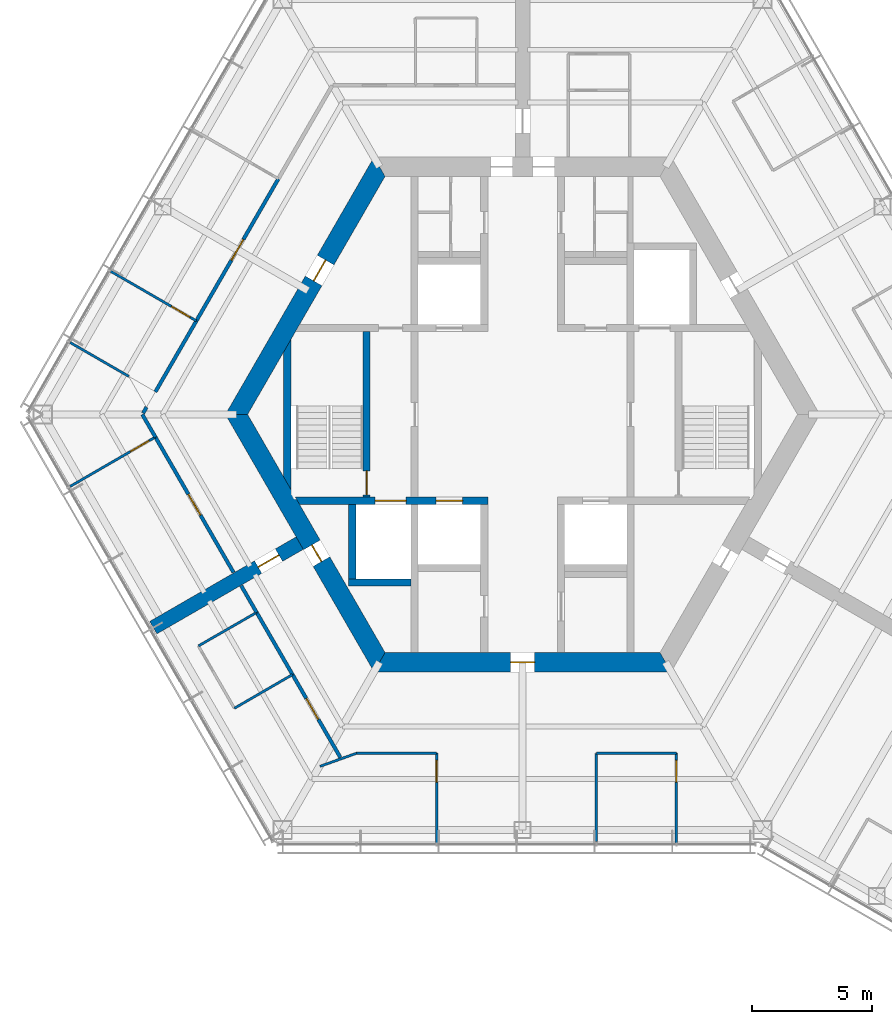
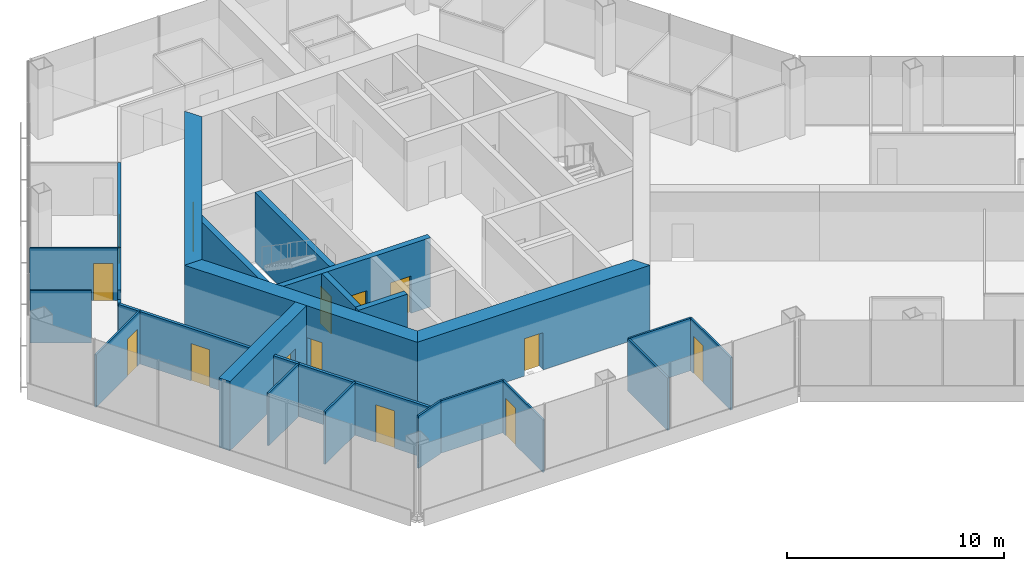
# One storey, part 10 of 16: 28 walls, 14 doors, 14 openings.
"""IFC4 building model written with IfcOpenShell, lengths in metres."""

import ifcopenshell
import ifcopenshell.guid

model = None  # the IFC model being written
_history = None  # IfcOwnerHistory: only IFC2X3 demands one
_inside = {}  # id of a spatial element -> (the spatial element, [elements in it])
_under = {}  # id of a project, library or spatial element -> (it, [spatial elements below it])
_declared = {}  # id of a project -> (the project, [libraries it declares])
_typed = {}  # id of a type object -> (the type object, [elements of that type])
_made_of = {}  # id of a material, layer set ... -> (it, [elements and type objects made of it])


def new_model(schema):
    """Start an empty IFC model of exactly this schema.

    Asked for "IFC4X3", IfcOpenShell would pick the latest addendum, in which some entities
    have other attributes; the version numbers below select the first issue.
    IFC2X3 requires an IfcOwnerHistory on every rooted entity: one is made here for all.
    """
    global model, _history
    if schema == "IFC4X3":
        model = ifcopenshell.file(schema_version=(4, 3, 0, 0))
    else:
        model = ifcopenshell.file(schema=schema)
    _inside.clear()
    _under.clear()
    _declared.clear()
    _typed.clear()
    _made_of.clear()
    _history = None
    if model.schema == "IFC2X3":
        org = make("IfcOrganization", Name="unknown")
        user = make(
            "IfcPersonAndOrganization",
            ThePerson=make("IfcPerson", FamilyName="unknown"),
            TheOrganization=org,
        )
        app = make(
            "IfcApplication",
            ApplicationDeveloper=org,
            Version="unknown",
            ApplicationFullName="unknown",
            ApplicationIdentifier="unknown",
        )
        _history = make(
            "IfcOwnerHistory",
            OwningUser=user,
            OwningApplication=app,
            ChangeAction="ADDED",
            CreationDate=0,
        )
    return model


def make(cls, **values):
    """One entity of the class cls with the attributes given. An attribute that is None is left unset."""
    return model.create_entity(
        cls, **{name: value for name, value in values.items() if value is not None}
    )


def rooted(cls, **values):
    """An entity with a GlobalId (a new one), such as an element, a storey or a relation."""
    return make(cls, GlobalId=ifcopenshell.guid.new(), OwnerHistory=_history, **values)


def si_unit(unit_type, name, prefix=None):
    """IfcSIUnit, for example si_unit("LENGTHUNIT", "METRE", prefix="MILLI")."""
    return make("IfcSIUnit", UnitType=unit_type, Prefix=prefix, Name=name)


def assignment(units):
    """IfcUnitAssignment: the units of a project."""
    return None if units is None else make("IfcUnitAssignment", Units=units)


def point(xyz):
    """IfcCartesianPoint."""
    return None if xyz is None else make("IfcCartesianPoint", Coordinates=xyz)


def direction(xyz):
    """IfcDirection."""
    return None if xyz is None else make("IfcDirection", DirectionRatios=xyz)


def frame(location, z_axis=None, x_axis=None):
    """IfcAxis2Placement3D, a coordinate frame: its origin and axes. An axis left out is left unset."""
    return make(
        "IfcAxis2Placement3D",
        Location=point(location),
        Axis=direction(z_axis),
        RefDirection=direction(x_axis),
    )


def frame_2d(location, x_axis=None):
    """IfcAxis2Placement2D, a coordinate frame in the plane: its origin and x axis."""
    return make(
        "IfcAxis2Placement2D", Location=point(location), RefDirection=direction(x_axis)
    )


def origin():
    """The frame at (0, 0, 0) with its axes left unset."""
    return frame((0.0, 0.0, 0.0))


def place(relative_to, where):
    """IfcLocalPlacement: puts the frame where relative to a parent placement (None: the world)."""
    return make(
        "IfcLocalPlacement", PlacementRelTo=relative_to, RelativePlacement=where
    )


def context(
    kind, dimensions, precision=None, world=None, true_north=None, identifier=None
):
    """IfcGeometricRepresentationContext, for example the 3D "Model" context."""
    return make(
        "IfcGeometricRepresentationContext",
        ContextIdentifier=identifier,
        ContextType=kind,
        CoordinateSpaceDimension=dimensions,
        Precision=precision,
        WorldCoordinateSystem=world,
        TrueNorth=true_north,
    )


def subcontext(parent, identifier, kind, view, scale=None):
    """IfcGeometricRepresentationSubContext, for example "Body" below "Model"."""
    return make(
        "IfcGeometricRepresentationSubContext",
        ContextIdentifier=identifier,
        ContextType=kind,
        ParentContext=parent,
        TargetScale=scale,
        TargetView=view,
    )


def project(units=None, contexts=None):
    """IfcProject with its units and contexts."""
    return rooted(
        "IfcProject",
        Name="project",
        RepresentationContexts=contexts,
        UnitsInContext=assignment(units),
    )


def spatial(cls, under=None, at=None, **own):
    """A site, building, storey or space (cls), placed at a placement, below another one or the project."""
    s = rooted(cls, ObjectPlacement=at, **own)
    if under is not None:
        _under.setdefault(under.id(), (under, []))[1].append(s)
    return s


def polyline(points):
    """IfcPolyline through the points."""
    return make("IfcPolyline", Points=[point(p) for p in points])


def profile(cls, at=None, kind="AREA", **sizes):
    """A parametric profile (cls). Its sizes go by their IFC names, for example OverallWidth=200.0."""
    return make(cls, ProfileType=kind, Position=at, **sizes)


def rectangle(**sizes):
    """IfcRectangleProfileDef."""
    return profile("IfcRectangleProfileDef", **sizes)


def outline(outer, holes=None, kind="AREA"):
    """IfcArbitraryClosedProfileDef: a profile drawn as a closed curve; with holes, ...WithVoids."""
    if holes is None:
        return make("IfcArbitraryClosedProfileDef", ProfileType=kind, OuterCurve=outer)
    return make(
        "IfcArbitraryProfileDefWithVoids",
        ProfileType=kind,
        OuterCurve=outer,
        InnerCurves=holes,
    )


def extrude(swept, where, along, depth):
    """IfcExtrudedAreaSolid: the profile swept, set in the frame where, extruded along a direction by depth."""
    return make(
        "IfcExtrudedAreaSolid",
        SweptArea=swept,
        Position=where,
        ExtrudedDirection=direction(along),
        Depth=depth,
    )


def shape(context_of_items, identifier, shape_type, items):
    """IfcShapeRepresentation: the items that make up one representation, for example the "Body"."""
    return make(
        "IfcShapeRepresentation",
        ContextOfItems=context_of_items,
        RepresentationIdentifier=identifier,
        RepresentationType=shape_type,
        Items=items,
    )


def material(Name=None, Category=None):
    """IfcMaterial."""
    return make("IfcMaterial", Name=Name, Category=Category)


def layer(
    of_material, thickness, ventilated=None, Name=None, Category=None, Priority=None
):
    """IfcMaterialLayer: one layer of a wall or slab, of a material (None: an air gap)."""
    return make(
        "IfcMaterialLayer",
        Material=of_material,
        LayerThickness=thickness,
        IsVentilated=ventilated,
        Name=Name,
        Category=Category,
        Priority=Priority,
    )


def layer_set(layers, Name=None):
    """IfcMaterialLayerSet."""
    return make("IfcMaterialLayerSet", MaterialLayers=layers, LayerSetName=Name)


def made_of(thing, what):
    """Note that an element or type object is made of a material, layer set ...; save() writes the relation."""
    if what is not None:
        _made_of.setdefault(what.id(), (what, []))[1].append(thing)
    return thing


def type_object(cls, material=None, **own):
    """A type object (cls), such as IfcWallType, which elements share."""
    return made_of(rooted(cls, **own), material)


def element(
    cls,
    number,
    at=None,
    inside=None,
    cuts=None,
    type_object=None,
    material=None,
    context=None,
    identifier="Body",
    shape_type=None,
    held_by="IfcProductDefinitionShape",
    body=None,
    shapes=None,
    **own,
):
    """One element of the class cls, such as IfcWall. Its Tag is "e" and its number.

    at: its placement. inside: the storey or other place that contains it. cuts: it is an
    opening in that element (IfcRelVoidsElement). A single representation is given by context,
    identifier, shape_type and body (its items); several are given by shapes. held_by: the class
    of the entity that holds the representations. save() writes the other relations.
    """
    e = rooted(cls, Tag="e%d" % number, ObjectPlacement=at, **own)
    if body is not None:
        shapes = [shape(context, identifier, shape_type, body)]
    if shapes is not None:
        e.Representation = make(held_by, Representations=shapes)
    if inside is not None:
        _inside.setdefault(inside.id(), (inside, []))[1].append(e)
    if cuts is not None:
        rooted(
            "IfcRelVoidsElement", RelatingBuildingElement=cuts, RelatedOpeningElement=e
        )
    if type_object is not None:
        _typed.setdefault(type_object.id(), (type_object, []))[1].append(e)
    return made_of(e, material)


def fill(opening, filler):
    """IfcRelFillsElement: the door or window that sits in an opening."""
    return rooted(
        "IfcRelFillsElement",
        RelatingOpeningElement=opening,
        RelatedBuildingElement=filler,
    )


def aggregate(whole, parts):
    """IfcRelAggregates: a whole, such as a stair, and the parts it consists of."""
    return rooted("IfcRelAggregates", RelatingObject=whole, RelatedObjects=parts)


def save(model, path):
    """Write the relations noted so far, then the file.

    IfcRelAggregates (storeys below a building ...), IfcRelContainedInSpatialStructure (elements
    in a storey), IfcRelDefinesByType, IfcRelAssociatesMaterial and IfcRelDeclares: one each for
    every whole, place, type object, material and project.
    """
    for whole, parts in _under.values():
        aggregate(whole, parts)
    for where, things in _inside.values():
        rooted(
            "IfcRelContainedInSpatialStructure",
            RelatedElements=things,
            RelatingStructure=where,
        )
    for kind, things in _typed.values():
        rooted("IfcRelDefinesByType", RelatedObjects=things, RelatingType=kind)
    for what, things in _made_of.values():
        rooted("IfcRelAssociatesMaterial", RelatedObjects=things, RelatingMaterial=what)
    for by, libraries in _declared.values():
        rooted("IfcRelDeclares", RelatingContext=by, RelatedDefinitions=libraries)
    model.write(path)


model = new_model("IFC4")

# Units and contexts
model_context = context("Model", 3, precision=1e-05, world=origin(), true_north=direction((0.0, 1.0)))
body_context = subcontext(model_context, "Body", "Model", "MODEL_VIEW")
ifc_project = project(units=[si_unit("LENGTHUNIT", "METRE"), si_unit("AREAUNIT", "SQUARE_METRE"), si_unit("VOLUMEUNIT", "CUBIC_METRE"), si_unit("PLANEANGLEUNIT", "RADIAN"), si_unit("MASSUNIT", "GRAM", prefix="KILO")], contexts=[model_context])

# Site, building, storey
site_placement = place(None, origin())
site = spatial("IfcSite", under=ifc_project, at=site_placement, CompositionType="ELEMENT")
building_placement = place(site_placement, origin())
building = spatial("IfcBuilding", under=site, at=building_placement, Name="Kasaneha Research Tower", CompositionType="ELEMENT")
storey_placement = place(building_placement, frame((0.0, 0.0, 251.800048828125)))
storey = spatial("IfcBuildingStorey", under=building, at=storey_placement, Name="L63", CompositionType="ELEMENT", Elevation=251.800048828125)

# Wall, openings, doors
ifc_material_1 = material(Name="Concrete Fc60", Category="concrete")
ifc_layer_1 = layer(ifc_material_1, 0.300048828125)
ifc_layer_set_1 = layer_set([ifc_layer_1], Name="Core internal wall 300 Fc60")
wall_type_1 = type_object("IfcWallType", Name="Core internal wall 300 Fc60", PredefinedType="SHEAR", material=ifc_layer_set_1)
wall_1_placement = place(storey_placement, frame((-9.3818359375, -3.60009765625, 0.0), z_axis=(0.0, 0.0, 1.0), x_axis=(1.0, 0.0, 0.0)))
wall_1 = element("IfcWall", 1, at=wall_1_placement, inside=storey, type_object=wall_type_1, Name="Core wall W2W L63", PredefinedType="SHEAR", context=body_context, shape_type="SweptSolid", body=[
    extrude(outline(polyline([(0.086669921875, -0.14990234375), (3.23193359375, -0.14990234375), (4.531982421875, -0.14990234375), (5.781982421875, -0.14990234375), (6.882080078125, -0.14990234375), (7.931884765625, -0.14990234375), (7.931884765625, 0.14990234375), (6.882080078125, 0.14990234375), (5.781982421875, 0.14990234375), (4.531982421875, 0.14990234375), (3.23193359375, 0.14990234375), (-0.086669921875, 0.14990234375), (0.086669921875, -0.14990234375)])), origin(), (0.0, 0.0, 1.0), 3.89990234375),
])
opening_1_placement = place(wall_1_placement, frame((5.781982421875, 0.0, 0.0)))
opening_1 = element("IfcOpeningElement", 2, at=opening_1_placement, cuts=wall_1, Name="Opening LD-LH1-L63", PredefinedType="OPENING", context=body_context, shape_type="SweptSolid", body=[
    extrude(rectangle(XDim=1.10009765625, YDim=2.10009765625, at=frame_2d((0.550048828125, 1.050048828125))), frame((0.0, 0.16015625, 0.0), z_axis=(0.0, -1.0, 0.0), x_axis=(1.0, 0.0, 0.0)), (0.0, 0.0, 1.0), 0.320068359375),
])
opening_2_placement = place(wall_1_placement, frame((3.23193359375, 0.0, 0.0)))
opening_2 = element("IfcOpeningElement", 3, at=opening_2_placement, cuts=wall_1, Name="Opening LD-FL2-L63", PredefinedType="OPENING", context=body_context, shape_type="SweptSolid", body=[
    extrude(rectangle(XDim=1.300048828125, YDim=2.10009765625, at=frame_2d((0.64990234375, 1.050048828125))), frame((0.0, 0.16015625, 0.0), z_axis=(0.0, -1.0, 0.0), x_axis=(1.0, 0.0, 0.0)), (0.0, 0.0, 1.0), 0.320068359375),
])
ifc_material_2 = material(Name="Steel", Category="steel")
door_type_1 = type_object("IfcDoorType", Name="Lift landing door 1100x2100", OperationType="DOUBLE_DOOR_SLIDING", PredefinedType="DOOR", material=ifc_material_2)
door_1_placement = place(opening_1_placement, origin())
door_1 = element("IfcDoor", 4, at=door_1_placement, inside=storey, type_object=door_type_1, Name="Landing door LH1 LD-LH1-L63", OperationType="DOUBLE_DOOR_SLIDING", OverallHeight=2.10009765625, OverallWidth=1.10009765625, PredefinedType="DOOR", context=body_context, shape_type="SweptSolid", body=[
    extrude(rectangle(XDim=1.10009765625, YDim=2.10009765625, at=frame_2d((0.550048828125, 1.050048828125))), frame((0.0, 0.02490234375, 0.0), z_axis=(0.0, -1.0, 0.0), x_axis=(1.0, 0.0, 0.0)), (0.0, 0.0, 1.0), 0.050048828125),
])
fill(opening_1, door_1)
ifc_material_3 = material(Name="Steel", Category="steel")
door_type_2 = type_object("IfcDoorType", Name="Lift landing door 1300x2100", OperationType="DOUBLE_DOOR_SLIDING", PredefinedType="DOOR", material=ifc_material_3)
door_2_placement = place(opening_2_placement, origin())
door_2 = element("IfcDoor", 5, at=door_2_placement, inside=storey, type_object=door_type_2, Name="Landing door FL2 LD-FL2-L63", OperationType="DOUBLE_DOOR_SLIDING", OverallHeight=2.10009765625, OverallWidth=1.300048828125, PredefinedType="DOOR", context=body_context, shape_type="SweptSolid", body=[
    extrude(rectangle(XDim=1.300048828125, YDim=2.10009765625, at=frame_2d((0.64990234375, 1.050048828125))), frame((0.0, 0.02490234375, 0.0), z_axis=(0.0, -1.0, 0.0), x_axis=(1.0, 0.0, 0.0)), (0.0, 0.0, 1.0), 0.050048828125),
])
fill(opening_2, door_2)

# Wall, opening, door
wall_2_placement = place(storey_placement, frame((-6.5, -3.449951171875, 0.0), z_axis=(0.0, 0.0, 1.0), x_axis=(0.0, 1.0, 0.0)))
wall_2 = element("IfcWall", 6, at=wall_2_placement, inside=storey, type_object=wall_type_1, Name="Core wall ANW L63", PredefinedType="SHEAR", context=body_context, shape_type="SweptSolid", body=[
    extrude(rectangle(XDim=6.89990234375, YDim=0.300048828125, at=frame_2d((3.449951171875, 0.0))), origin(), (0.0, 0.0, 1.0), 3.89990234375),
])
opening_3_placement = place(wall_2_placement, frame((0.10009765625, 0.0, 0.0)))
opening_3 = element("IfcOpeningElement", 7, at=opening_3_placement, cuts=wall_2, Name="Opening L63-D11", PredefinedType="OPENING", context=body_context, shape_type="SweptSolid", body=[
    extrude(rectangle(XDim=1.0, YDim=2.10009765625, at=frame_2d((0.5, 1.050048828125))), frame((0.0, 0.16015625, 0.0), z_axis=(0.0, -1.0, 0.0), x_axis=(1.0, 0.0, 0.0)), (0.0, 0.0, 1.0), 0.320068359375),
])
ifc_material_4 = material(Name="Steel", Category="steel")
door_type_3 = type_object("IfcDoorType", Name="Specified fire door FD60 1000x2100", OperationType="NOTDEFINED", PredefinedType="DOOR", material=ifc_material_4)
door_3_placement = place(opening_3_placement, origin())
door_3 = element("IfcDoor", 8, at=door_3_placement, inside=storey, type_object=door_type_3, Name="Stair 2 door L63-D11", OperationType="SINGLE_SWING_LEFT", OverallHeight=2.10009765625, OverallWidth=1.0, PredefinedType="DOOR", context=body_context, shape_type="SweptSolid", body=[
    extrude(rectangle(XDim=1.0, YDim=2.10009765625, at=frame_2d((0.5, 1.050048828125))), frame((0.0, 0.02490234375, 0.0), z_axis=(0.0, -1.0, 0.0), x_axis=(1.0, 0.0, 0.0)), (0.0, 0.0, 1.0), 0.050048828125),
])
fill(opening_3, door_3)

# Walls
wall_3_placement = place(storey_placement, frame((-7.25, -7.0, 0.0), z_axis=(0.0, 0.0, 1.0), x_axis=(1.0, 0.0, 0.0)))
element("IfcWall", 9, at=wall_3_placement, inside=storey, type_object=wall_type_1, Name="Core wall F2S L63", PredefinedType="SHEAR", context=body_context, shape_type="SweptSolid", body=[
    extrude(rectangle(XDim=2.60009765625, YDim=0.300048828125, at=frame_2d((1.300048828125, 0.0))), origin(), (0.0, 0.0, 1.0), 3.89990234375),
])
wall_4_placement = place(storey_placement, frame((-7.10009765625, -3.75, 0.0), z_axis=(0.0, 0.0, 1.0), x_axis=(0.0, -1.0, 0.0)))
element("IfcWall", 10, at=wall_4_placement, inside=storey, type_object=wall_type_1, Name="Core wall F2W L63", PredefinedType="SHEAR", context=body_context, shape_type="SweptSolid", body=[
    extrude(rectangle(XDim=3.10009765625, YDim=0.300048828125, at=frame_2d((1.550048828125, 0.0))), origin(), (0.0, 0.0, 1.0), 3.89990234375),
])
wall_5_placement = place(storey_placement, frame((-9.807861328125, -2.8623046875, 0.0), z_axis=(0.0, 0.0, 1.0), x_axis=(0.0, 1.0, 0.0)))
element("IfcWall", 11, at=wall_5_placement, inside=storey, type_object=wall_type_1, Name="Core wall STW L63", PredefinedType="SHEAR", context=body_context, shape_type="SweptSolid", body=[
    extrude(outline(polyline([(-0.259765625, -0.14990234375), (5.984375, -0.14990234375), (5.46484375, 0.14990234375), (0.259765625, 0.14990234375), (-0.259765625, -0.14990234375)])), origin(), (0.0, 0.0, 1.0), 3.89990234375),
])

# Wall, opening, door
ifc_material_5 = material(Name="Concrete Fc60", Category="concrete")
ifc_layer_2 = layer(ifc_material_5, 0.800048828125)
ifc_layer_set_2 = layer_set([ifc_layer_2], Name="Core wall 800 Fc60")
wall_type_2 = type_object("IfcWallType", Name="Core wall 800 Fc60", PredefinedType="SHEAR", material=ifc_layer_set_2)
wall_6_placement = place(storey_placement, frame((-5.961181640625, 10.324951171875, 0.0), z_axis=(0.0, 0.0, 1.0), x_axis=(-0.500004296715, -0.866022923061, 0.0)))
wall_6 = element("IfcWall", 12, at=wall_6_placement, inside=storey, type_object=wall_type_2, Name="Core wall 150 L63", PredefinedType="SHEAR", context=body_context, shape_type="SweptSolid", body=[
    extrude(outline(polyline([(-0.23095703125, -0.39990234375), (4.494140625, -0.39990234375), (5.494140625, -0.39990234375), (12.1533203125, -0.39990234375), (11.69140625, 0.39990234375), (5.494140625, 0.39990234375), (4.494140625, 0.39990234375), (0.23095703125, 0.39990234375), (-0.23095703125, -0.39990234375)])), origin(), (0.0, 0.0, 1.0), 3.89990234375),
])
opening_4_placement = place(wall_6_placement, frame((4.494140625, 0.0, 0.0)))
opening_4 = element("IfcOpeningElement", 13, at=opening_4_placement, cuts=wall_6, Name="Opening L63-D07", PredefinedType="OPENING", context=body_context, shape_type="SweptSolid", body=[
    extrude(rectangle(XDim=1.0, YDim=2.10009765625, at=frame_2d((0.5, 1.050048828125))), frame((0.0, 0.41015625, 0.0), z_axis=(0.0, -1.0, 0.0), x_axis=(1.0, 0.0, 0.0)), (0.0, 0.0, 1.0), 0.820068359375),
])
ifc_material_6 = material(Name="Steel", Category="steel")
door_type_4 = type_object("IfcDoorType", Name="Fire door FD20 1000x2100", OperationType="NOTDEFINED", PredefinedType="DOOR", material=ifc_material_6)
door_4_placement = place(opening_4_placement, origin())
door_4 = element("IfcDoor", 14, at=door_4_placement, inside=storey, type_object=door_type_4, Name="Vestibule door L63-D07", OperationType="SINGLE_SWING_LEFT", OverallHeight=2.10009765625, OverallWidth=1.0, PredefinedType="DOOR", context=body_context, shape_type="SweptSolid", body=[
    extrude(rectangle(XDim=1.0, YDim=2.10009765625, at=frame_2d((0.5, 1.050048828125))), frame((0.0, 0.02490234375, 0.0), z_axis=(0.0, -1.0, 0.0), x_axis=(1.0, 0.0, 0.0)), (0.0, 0.0, 1.0), 0.050048828125),
])
fill(opening_4, door_4)

wall_7_placement = place(storey_placement, frame((-11.92236328125, 0.0, 0.0), z_axis=(0.0, 0.0, 1.0), x_axis=(0.500004296715, -0.866022923061, 0.0)))
wall_7 = element("IfcWall", 15, at=wall_7_placement, inside=storey, type_object=wall_type_2, Name="Core wall 210 L63", PredefinedType="SHEAR", context=body_context, shape_type="SweptSolid", body=[
    extrude(outline(polyline([(-0.23095703125, -0.39990234375), (6.28125, -0.39990234375), (7.081298828125, -0.39990234375), (12.1533203125, -0.39990234375), (11.69140625, 0.39990234375), (7.081298828125, 0.39990234375), (6.28125, 0.39990234375), (0.23095703125, 0.39990234375), (-0.23095703125, -0.39990234375)])), origin(), (0.0, 0.0, 1.0), 3.89990234375),
])
opening_5_placement = place(wall_7_placement, frame((6.28125, 0.0, 0.0)))
opening_5 = element("IfcOpeningElement", 16, at=opening_5_placement, cuts=wall_7, Name="Opening L63-D06", PredefinedType="OPENING", context=body_context, shape_type="SweptSolid", body=[
    extrude(rectangle(XDim=0.800048828125, YDim=2.10009765625, at=frame_2d((0.39990234375, 1.050048828125))), frame((0.0, 0.41015625, 0.0), z_axis=(0.0, -1.0, 0.0), x_axis=(1.0, 0.0, 0.0)), (0.0, 0.0, 1.0), 0.820068359375),
])
ifc_material_7 = material(Name="Steel", Category="steel")
door_type_5 = type_object("IfcDoorType", Name="Riser access door FD60 800x2100", OperationType="NOTDEFINED", PredefinedType="DOOR", material=ifc_material_7)
door_5_placement = place(opening_5_placement, origin())
door_5 = element("IfcDoor", 17, at=door_5_placement, inside=storey, type_object=door_type_5, Name="Duct riser door L63-D06", OperationType="SINGLE_SWING_RIGHT", OverallHeight=2.10009765625, OverallWidth=0.800048828125, PredefinedType="DOOR", context=body_context, shape_type="SweptSolid", body=[
    extrude(rectangle(XDim=0.800048828125, YDim=2.10009765625, at=frame_2d((0.39990234375, 1.050048828125))), frame((0.0, 0.02490234375, 0.0), z_axis=(0.0, -1.0, 0.0), x_axis=(1.0, 0.0, 0.0)), (0.0, 0.0, 1.0), 0.050048828125),
])
fill(opening_5, door_5)

wall_8_placement = place(storey_placement, frame((-5.961181640625, -10.324951171875, 0.0), z_axis=(0.0, 0.0, 1.0), x_axis=(1.0, 0.0, 0.0)))
wall_8 = element("IfcWall", 18, at=wall_8_placement, inside=storey, type_object=wall_type_2, Name="Core wall 270 L63", PredefinedType="SHEAR", context=body_context, shape_type="SweptSolid", body=[
    extrude(outline(polyline([(-0.23095703125, -0.39990234375), (5.461181640625, -0.39990234375), (6.461181640625, -0.39990234375), (12.1533203125, -0.39990234375), (11.69140625, 0.39990234375), (6.461181640625, 0.39990234375), (5.461181640625, 0.39990234375), (0.23095703125, 0.39990234375), (-0.23095703125, -0.39990234375)])), origin(), (0.0, 0.0, 1.0), 3.89990234375),
])
opening_6_placement = place(wall_8_placement, frame((5.461181640625, 0.0, 0.0)))
opening_6 = element("IfcOpeningElement", 19, at=opening_6_placement, cuts=wall_8, Name="Opening L63-D03", PredefinedType="OPENING", context=body_context, shape_type="SweptSolid", body=[
    extrude(rectangle(XDim=1.0, YDim=2.10009765625, at=frame_2d((0.5, 1.050048828125))), frame((0.0, 0.41015625, 0.0), z_axis=(0.0, -1.0, 0.0), x_axis=(1.0, 0.0, 0.0)), (0.0, 0.0, 1.0), 0.820068359375),
])
door_6_placement = place(opening_6_placement, origin())
door_6 = element("IfcDoor", 20, at=door_6_placement, inside=storey, type_object=door_type_4, Name="Core door south L63-D03", OperationType="SINGLE_SWING_LEFT", OverallHeight=2.10009765625, OverallWidth=1.0, PredefinedType="DOOR", context=body_context, shape_type="SweptSolid", body=[
    extrude(rectangle(XDim=1.0, YDim=2.10009765625, at=frame_2d((0.5, 1.050048828125))), frame((0.0, 0.02490234375, 0.0), z_axis=(0.0, -1.0, 0.0), x_axis=(1.0, 0.0, 0.0)), (0.0, 0.0, 1.0), 0.050048828125),
])
fill(opening_6, door_6)

# Wall
ifc_material_8 = material(Name="Gypsum board on steel studs, one layer each side", Category="steel")
ifc_layer_3 = layer(ifc_material_8, 0.10009765625)
ifc_layer_set_3 = layer_set([ifc_layer_3], Name="Office partition 100")
wall_type_3 = type_object("IfcWallType", Name="Office partition 100", PredefinedType="PARTITIONING", material=ifc_layer_set_3)
wall_9_placement = place(storey_placement, frame((-16.4130859375, 1.58837890625, 0.0), z_axis=(0.0, 0.0, 1.0), x_axis=(-0.866019917734, 0.500009501998, 0.0)))
element("IfcWall", 21, at=wall_9_placement, inside=storey, type_object=wall_type_3, Name="Office partition FBN08 L63", PredefinedType="PARTITIONING", context=body_context, shape_type="SweptSolid", body=[
    extrude(rectangle(XDim=2.822265625, YDim=0.10009765625, at=frame_2d((1.4111328125, 0.0))), origin(), (0.0, 0.0, 1.0), 2.949951171875),
])

# Wall, opening, door
wall_10_placement = place(storey_placement, frame((-17.1708984375, 5.969970703125, 0.0), z_axis=(0.0, 0.0, 1.0), x_axis=(0.865450565099, -0.500994330677, 0.0)))
wall_10 = element("IfcWall", 22, at=wall_10_placement, inside=storey, type_object=wall_type_3, Name="Office partition FBN09 L63", PredefinedType="PARTITIONING", context=body_context, shape_type="SweptSolid", body=[
    extrude(rectangle(XDim=4.13037109375, YDim=0.10009765625, at=frame_2d((2.065185546875, 0.0))), origin(), (0.0, 0.0, 1.0), 2.949951171875),
])
opening_7_placement = place(wall_10_placement, frame((2.930419921875, 0.0, 0.0)))
opening_7 = element("IfcOpeningElement", 23, at=opening_7_placement, cuts=wall_10, Name="Opening L63-D35", PredefinedType="OPENING", context=body_context, shape_type="SweptSolid", body=[
    extrude(rectangle(XDim=0.89990234375, YDim=2.10009765625, at=frame_2d((0.449951171875, 1.050048828125))), frame((0.0, 0.06005859375, 0.0), z_axis=(0.0, -1.0, 0.0), x_axis=(1.0, 0.0, 0.0)), (0.0, 0.0, 1.0), 0.1201171875),
])
ifc_material_9 = material(Name="Timber veneer", Category="wood")
door_type_6 = type_object("IfcDoorType", Name="Office door 900x2100", OperationType="SINGLE_SWING_LEFT", PredefinedType="DOOR", material=ifc_material_9)
door_7_placement = place(opening_7_placement, origin())
door_7 = element("IfcDoor", 24, at=door_7_placement, inside=storey, type_object=door_type_6, Name="Executive office door L63-D35", OperationType="SINGLE_SWING_RIGHT", OverallHeight=2.10009765625, OverallWidth=0.89990234375, PredefinedType="DOOR", context=body_context, shape_type="SweptSolid", body=[
    extrude(rectangle(XDim=0.89990234375, YDim=2.10009765625, at=frame_2d((0.449951171875, 1.050048828125))), frame((0.0, 0.02490234375, 0.0), z_axis=(0.0, -1.0, 0.0), x_axis=(1.0, 0.0, 0.0)), (0.0, 0.0, 1.0), 0.050048828125),
])
fill(opening_7, door_7)

wall_11_placement = place(storey_placement, frame((-15.303955078125, -0.94287109375, 0.0), z_axis=(0.0, 0.0, 1.0), x_axis=(-0.865477851574, -0.500947191264, 0.0)))
wall_11 = element("IfcWall", 25, at=wall_11_placement, inside=storey, type_object=wall_type_3, Name="Office partition FBN10 L63", PredefinedType="PARTITIONING", context=body_context, shape_type="SweptSolid", body=[
    extrude(rectangle(XDim=4.10546875, YDim=0.10009765625, at=frame_2d((2.052734375, 0.0))), origin(), (0.0, 0.0, 1.0), 2.949951171875),
])
opening_8_placement = place(wall_11_placement, frame((0.300048828125, 0.0, 0.0)))
opening_8 = element("IfcOpeningElement", 26, at=opening_8_placement, cuts=wall_11, Name="Opening L63-D36", PredefinedType="OPENING", context=body_context, shape_type="SweptSolid", body=[
    extrude(rectangle(XDim=0.89990234375, YDim=2.10009765625, at=frame_2d((0.449951171875, 1.050048828125))), frame((0.0, 0.06005859375, 0.0), z_axis=(0.0, -1.0, 0.0), x_axis=(1.0, 0.0, 0.0)), (0.0, 0.0, 1.0), 0.1201171875),
])
door_8_placement = place(opening_8_placement, origin())
door_8 = element("IfcDoor", 27, at=door_8_placement, inside=storey, type_object=door_type_6, Name="Workroom door L63-D36", OperationType="SINGLE_SWING_LEFT", OverallHeight=2.10009765625, OverallWidth=0.89990234375, PredefinedType="DOOR", context=body_context, shape_type="SweptSolid", body=[
    extrude(rectangle(XDim=0.89990234375, YDim=2.10009765625, at=frame_2d((0.449951171875, 1.050048828125))), frame((0.0, 0.02490234375, 0.0), z_axis=(0.0, -1.0, 0.0), x_axis=(1.0, 0.0, 0.0)), (0.0, 0.0, 1.0), 0.050048828125),
])
fill(opening_8, door_8)

# Walls
for number, where, z_axis, x_axis, name in (
    (28, (-13.510986328125, -9.648193359375, 0.0), (0.0, 0.0, 1.0), (0.86679607088, 0.498662783358, 0.0), "Office partition FBS04 L63"),
    (29, (-9.58837890625, -10.84228515625, 0.0), (0.0, 0.0, 1.0), (-0.865233198925, -0.501369635576, 0.0), "Office partition FBS06 L63"),
):
    element("IfcWall", number, at=place(storey_placement, frame(where, z_axis=z_axis, x_axis=x_axis)), inside=storey, type_object=wall_type_3, Name=name, PredefinedType="PARTITIONING", context=body_context, shape_type="SweptSolid", body=[
        extrude(rectangle(XDim=2.800048828125, YDim=0.10009765625, at=frame_2d((1.39990234375, 0.0))), origin(), (0.0, 0.0, 1.0), 2.949951171875),
    ])
wall_12_placement = place(storey_placement, frame((-8.444580078125, -14.666748046875, 0.0), z_axis=(0.0, 0.0, 1.0), x_axis=(0.941476299389, 0.33707918608, 0.0)))
element("IfcWall", 30, at=wall_12_placement, inside=storey, type_object=wall_type_3, Name="Office partition FCS01 L63", PredefinedType="PARTITIONING", context=body_context, shape_type="SweptSolid", body=[
    extrude(rectangle(XDim=1.623779296875, YDim=0.10009765625, at=frame_2d((0.81201171875, 0.0))), origin(), (0.0, 0.0, 1.0), 2.949951171875),
])
wall_13_placement = place(storey_placement, frame((-6.915771484375, -14.119384765625, 0.0), z_axis=(0.0, 0.0, 1.0), x_axis=(0.999999932863, -0.000366434567, 0.0)))
element("IfcWall", 31, at=wall_13_placement, inside=storey, type_object=wall_type_3, Name="Office partition FCS02 L63", PredefinedType="PARTITIONING", context=body_context, shape_type="SweptSolid", body=[
    extrude(rectangle(XDim=3.331298828125, YDim=0.10009765625, at=frame_2d((1.66552734375, 0.0))), origin(), (0.0, 0.0, 1.0), 2.949951171875),
])

# Wall, opening, door
wall_14_placement = place(storey_placement, frame((-3.58447265625, -14.12060546875, 0.0), z_axis=(0.0, 0.0, 1.0), x_axis=(0.0, -1.0, 0.0)))
wall_14 = element("IfcWall", 32, at=wall_14_placement, inside=storey, type_object=wall_type_3, Name="Office partition FCS03 L63", PredefinedType="PARTITIONING", context=body_context, shape_type="SweptSolid", body=[
    extrude(rectangle(XDim=3.73486328125, YDim=0.10009765625, at=frame_2d((1.867431640625, 0.0))), origin(), (0.0, 0.0, 1.0), 2.949951171875),
])
opening_9_placement = place(wall_14_placement, frame((0.300048828125, 0.0, 0.0)))
opening_9 = element("IfcOpeningElement", 33, at=opening_9_placement, cuts=wall_14, Name="Opening L63-D41", PredefinedType="OPENING", context=body_context, shape_type="SweptSolid", body=[
    extrude(rectangle(XDim=0.89990234375, YDim=2.10009765625, at=frame_2d((0.449951171875, 1.050048828125))), frame((0.0, 0.06005859375, 0.0), z_axis=(0.0, -1.0, 0.0), x_axis=(1.0, 0.0, 0.0)), (0.0, 0.0, 1.0), 0.1201171875),
])
door_9_placement = place(opening_9_placement, origin())
door_9 = element("IfcDoor", 34, at=door_9_placement, inside=storey, type_object=door_type_6, Name="Executive office door L63-D41", OperationType="SINGLE_SWING_LEFT", OverallHeight=2.10009765625, OverallWidth=0.89990234375, PredefinedType="DOOR", context=body_context, shape_type="SweptSolid", body=[
    extrude(rectangle(XDim=0.89990234375, YDim=2.10009765625, at=frame_2d((0.449951171875, 1.050048828125))), frame((0.0, 0.02490234375, 0.0), z_axis=(0.0, -1.0, 0.0), x_axis=(1.0, 0.0, 0.0)), (0.0, 0.0, 1.0), 0.050048828125),
])
fill(opening_9, door_9)

# Walls
wall_15_placement = place(storey_placement, frame((3.077392578125, -17.800537109375, 0.0), z_axis=(0.0, 0.0, 1.0), x_axis=(0.0, 1.0, 0.0)))
element("IfcWall", 35, at=wall_15_placement, inside=storey, type_object=wall_type_3, Name="Office partition FCS04 L63", PredefinedType="PARTITIONING", context=body_context, shape_type="SweptSolid", body=[
    extrude(rectangle(XDim=3.679931640625, YDim=0.10009765625, at=frame_2d((1.83984375, 0.0))), origin(), (0.0, 0.0, 1.0), 2.949951171875),
])
wall_16_placement = place(storey_placement, frame((3.077392578125, -14.12060546875, 0.0), z_axis=(0.0, 0.0, 1.0), x_axis=(1.0, 0.0, 0.0)))
element("IfcWall", 36, at=wall_16_placement, inside=storey, type_object=wall_type_3, Name="Office partition FCS05 L63", PredefinedType="PARTITIONING", context=body_context, shape_type="SweptSolid", body=[
    extrude(rectangle(XDim=3.330810546875, YDim=0.10009765625, at=frame_2d((1.66552734375, 0.0))), origin(), (0.0, 0.0, 1.0), 2.949951171875),
])

# Wall, opening, door
wall_17_placement = place(storey_placement, frame((6.408203125, -14.12060546875, 0.0), z_axis=(0.0, 0.0, 1.0), x_axis=(0.0, -1.0, 0.0)))
wall_17 = element("IfcWall", 37, at=wall_17_placement, inside=storey, type_object=wall_type_3, Name="Office partition FCS06 L63", PredefinedType="PARTITIONING", context=body_context, shape_type="SweptSolid", body=[
    extrude(rectangle(XDim=3.73486328125, YDim=0.10009765625, at=frame_2d((1.867431640625, 0.0))), origin(), (0.0, 0.0, 1.0), 2.949951171875),
])
opening_10_placement = place(wall_17_placement, frame((0.300048828125, 0.0, 0.0)))
opening_10 = element("IfcOpeningElement", 38, at=opening_10_placement, cuts=wall_17, Name="Opening L63-D42", PredefinedType="OPENING", context=body_context, shape_type="SweptSolid", body=[
    extrude(rectangle(XDim=0.89990234375, YDim=2.10009765625, at=frame_2d((0.449951171875, 1.050048828125))), frame((0.0, 0.06005859375, 0.0), z_axis=(0.0, -1.0, 0.0), x_axis=(1.0, 0.0, 0.0)), (0.0, 0.0, 1.0), 0.1201171875),
])
door_10_placement = place(opening_10_placement, origin())
door_10 = element("IfcDoor", 39, at=door_10_placement, inside=storey, type_object=door_type_6, Name="Executive office door L63-D42", OperationType="SINGLE_SWING_LEFT", OverallHeight=2.10009765625, OverallWidth=0.89990234375, PredefinedType="DOOR", context=body_context, shape_type="SweptSolid", body=[
    extrude(rectangle(XDim=0.89990234375, YDim=2.10009765625, at=frame_2d((0.449951171875, 1.050048828125))), frame((0.0, 0.02490234375, 0.0), z_axis=(0.0, -1.0, 0.0), x_axis=(1.0, 0.0, 0.0)), (0.0, 0.0, 1.0), 0.050048828125),
])
fill(opening_10, door_10)

ifc_material_10 = material(Name="Concrete Fc60", Category="concrete")
ifc_layer_4 = layer(ifc_material_10, 0.60009765625)
ifc_layer_set_4 = layer_set([ifc_layer_4], Name="Spine wall 600 Fc60")
wall_type_4 = type_object("IfcWallType", Name="Spine wall 600 Fc60", PredefinedType="SHEAR", material=ifc_layer_set_4)
wall_18_placement = place(storey_placement, frame((-9.2880859375, -5.362548828125, 0.0), z_axis=(0.0, 0.0, 1.0), x_axis=(-0.866027473358, -0.499996415376, 0.0)))
wall_18 = element("IfcWall", 40, at=wall_18_placement, inside=storey, type_object=wall_type_4, Name="Spine wall B L63", PredefinedType="SHEAR", context=body_context, shape_type="SweptSolid", body=[
    extrude(rectangle(XDim=7.04541015625, YDim=0.60009765625, at=frame_2d((3.522705078125, 0.0))), origin(), (0.0, 0.0, 1.0), 3.89990234375),
])
opening_11_placement = place(wall_18_placement, frame((1.0, 0.0, 0.0)))
opening_11 = element("IfcOpeningElement", 41, at=opening_11_placement, cuts=wall_18, Name="Opening L63-D19", PredefinedType="OPENING", context=body_context, shape_type="SweptSolid", body=[
    extrude(rectangle(XDim=1.0, YDim=2.10009765625, at=frame_2d((0.5, 1.050048828125))), frame((0.0, 0.31005859375, 0.0), z_axis=(0.0, -1.0, 0.0), x_axis=(1.0, 0.0, 0.0)), (0.0, 0.0, 1.0), 0.6201171875),
])
door_11_placement = place(opening_11_placement, origin())
door_11 = element("IfcDoor", 42, at=door_11_placement, inside=storey, type_object=door_type_3, Name="Spine doorway B L63-D19", OperationType="SINGLE_SWING_LEFT", OverallHeight=2.10009765625, OverallWidth=1.0, PredefinedType="DOOR", context=body_context, shape_type="SweptSolid", body=[
    extrude(rectangle(XDim=1.0, YDim=2.10009765625, at=frame_2d((0.5, 1.050048828125))), frame((0.0, 0.02490234375, 0.0), z_axis=(0.0, -1.0, 0.0), x_axis=(1.0, 0.0, 0.0)), (0.0, 0.0, 1.0), 0.050048828125),
])
fill(opening_11, door_11)

# Walls
ifc_material_11 = material(Name="Gypsum board on steel studs, two layers each side", Category="steel")
ifc_layer_5 = layer(ifc_material_11, 0.14990234375)
ifc_layer_set_5 = layer_set([ifc_layer_5], Name="Suite partition 150")
wall_type_5 = type_object("IfcWallType", Name="Suite partition 150", PredefinedType="PARTITIONING", material=ifc_layer_set_5)
wall_19_placement = place(storey_placement, frame((-15.30419921875, 0.9423828125, 0.0), z_axis=(0.0, 0.0, 1.0), x_axis=(0.500032973541, 0.866006365664, 0.0)))
element("IfcWall", 43, at=wall_19_placement, inside=storey, type_object=wall_type_5, Name="Suite partition FBN02 L63", PredefinedType="PARTITIONING", context=body_context, shape_type="SweptSolid", body=[
    extrude(rectangle(XDim=3.425537109375, YDim=0.14990234375, at=frame_2d((1.712890625, 0.0))), origin(), (0.0, 0.0, 1.0), 2.949951171875),
])
wall_20_placement = place(storey_placement, frame((-15.81591796875, 0.056396484375, 0.0), z_axis=(0.0, 0.0, 1.0), x_axis=(0.500801637523, 0.865562083189, 0.0)))
element("IfcWall", 44, at=wall_20_placement, inside=storey, type_object=wall_type_5, Name="Suite partition FBN03 L63", PredefinedType="PARTITIONING", context=body_context, shape_type="SweptSolid", body=[
    extrude(rectangle(XDim=0.287109375, YDim=0.14990234375, at=frame_2d((0.1435546875, 0.0))), origin(), (0.0, 0.0, 1.0), 2.949951171875),
])
wall_21_placement = place(storey_placement, frame((-15.29931640625, -0.951171875, 0.0), z_axis=(0.0, 0.0, 1.0), x_axis=(-0.499940538003, 0.866059731463, 0.0)))
element("IfcWall", 45, at=wall_21_placement, inside=storey, type_object=wall_type_5, Name="Suite partition FBN04 L63", PredefinedType="PARTITIONING", context=body_context, shape_type="SweptSolid", body=[
    extrude(rectangle(XDim=1.098388671875, YDim=0.14990234375, at=frame_2d((0.54931640625, 0.0))), origin(), (0.0, 0.0, 1.0), 2.949951171875),
])

# Wall, opening, door
wall_22_placement = place(storey_placement, frame((-13.59619140625, 3.900634765625, 0.0), z_axis=(0.0, 0.0, 1.0), x_axis=(0.499993318678, 0.866029261213, 0.0)))
wall_22 = element("IfcWall", 46, at=wall_22_placement, inside=storey, type_object=wall_type_5, Name="Suite partition FBN05 L63", PredefinedType="PARTITIONING", context=body_context, shape_type="SweptSolid", body=[
    extrude(rectangle(XDim=6.83984375, YDim=0.14990234375, at=frame_2d((3.419921875, 0.0))), origin(), (0.0, 0.0, 1.0), 2.949951171875),
])
opening_12_placement = place(wall_22_placement, frame((2.919921875, 0.0, 0.0)))
opening_12 = element("IfcOpeningElement", 47, at=opening_12_placement, cuts=wall_22, Name="Opening L63-D32", PredefinedType="OPENING", context=body_context, shape_type="SweptSolid", body=[
    extrude(rectangle(XDim=1.0, YDim=2.10009765625, at=frame_2d((0.5, 1.050048828125))), frame((0.0, 0.0849609375, 0.0), z_axis=(0.0, -1.0, 0.0), x_axis=(1.0, 0.0, 0.0)), (0.0, 0.0, 1.0), 0.169921875),
])
ifc_material_12 = material(Name="Steel", Category="steel")
door_type_7 = type_object("IfcDoorType", Name="Suite entrance door FD60 1000x2100", OperationType="NOTDEFINED", PredefinedType="DOOR", material=ifc_material_12)
door_12_placement = place(opening_12_placement, origin())
door_12 = element("IfcDoor", 48, at=door_12_placement, inside=storey, type_object=door_type_7, Name="Suite entrance door L63-D32", OperationType="SINGLE_SWING_RIGHT", OverallHeight=2.10009765625, OverallWidth=1.0, PredefinedType="DOOR", context=body_context, shape_type="SweptSolid", body=[
    extrude(rectangle(XDim=1.0, YDim=2.10009765625, at=frame_2d((0.5, 1.050048828125))), frame((0.0, 0.02490234375, 0.0), z_axis=(0.0, -1.0, 0.0), x_axis=(1.0, 0.0, 0.0)), (0.0, 0.0, 1.0), 0.050048828125),
])
fill(opening_12, door_12)

wall_23_placement = place(storey_placement, frame((-12.046142578125, -6.58544921875, 0.0), z_axis=(0.0, 0.0, 1.0), x_axis=(-0.500007885066, 0.866020851292, 0.0)))
wall_23 = element("IfcWall", 49, at=wall_23_placement, inside=storey, type_object=wall_type_5, Name="Suite partition FBN06 L63", PredefinedType="PARTITIONING", context=body_context, shape_type="SweptSolid", body=[
    extrude(rectangle(XDim=6.515625, YDim=0.14990234375, at=frame_2d((3.2578125, 0.0))), origin(), (0.0, 0.0, 1.0), 2.949951171875),
])
opening_13_placement = place(wall_23_placement, frame((2.7578125, 0.0, 0.0)))
opening_13 = element("IfcOpeningElement", 50, at=opening_13_placement, cuts=wall_23, Name="Opening L63-D33", PredefinedType="OPENING", context=body_context, shape_type="SweptSolid", body=[
    extrude(rectangle(XDim=1.0, YDim=2.10009765625, at=frame_2d((0.5, 1.050048828125))), frame((0.0, 0.0849609375, 0.0), z_axis=(0.0, -1.0, 0.0), x_axis=(1.0, 0.0, 0.0)), (0.0, 0.0, 1.0), 0.169921875),
])
door_13_placement = place(opening_13_placement, origin())
door_13 = element("IfcDoor", 51, at=door_13_placement, inside=storey, type_object=door_type_7, Name="Suite entrance door L63-D33", OperationType="SINGLE_SWING_RIGHT", OverallHeight=2.10009765625, OverallWidth=1.0, PredefinedType="DOOR", context=body_context, shape_type="SweptSolid", body=[
    extrude(rectangle(XDim=1.0, YDim=2.10009765625, at=frame_2d((0.5, 1.050048828125))), frame((0.0, 0.02490234375, 0.0), z_axis=(0.0, -1.0, 0.0), x_axis=(1.0, 0.0, 0.0)), (0.0, 0.0, 1.0), 0.050048828125),
])
fill(opening_13, door_13)

# Walls
wall_24_placement = place(storey_placement, frame((-9.583740234375, -10.8505859375, 0.0), z_axis=(0.0, 0.0, 1.0), x_axis=(-0.499977562641, 0.866038357612, 0.0)))
element("IfcWall", 52, at=wall_24_placement, inside=storey, type_object=wall_type_5, Name="Suite partition FBS01 L63", PredefinedType="PARTITIONING", context=body_context, shape_type="SweptSolid", body=[
    extrude(rectangle(XDim=3.010009765625, YDim=0.14990234375, at=frame_2d((1.5048828125, 0.0))), origin(), (0.0, 0.0, 1.0), 2.949951171875),
])
wall_25_placement = place(storey_placement, frame((-11.083984375, -8.251953125, 0.0), z_axis=(0.0, 0.0, 1.0), x_axis=(-0.500084415177, 0.865976661173, 0.0)))
element("IfcWall", 53, at=wall_25_placement, inside=storey, type_object=wall_type_5, Name="Suite partition FBS02 L63", PredefinedType="PARTITIONING", context=body_context, shape_type="SweptSolid", body=[
    extrude(rectangle(XDim=1.284423828125, YDim=0.14990234375, at=frame_2d((0.64208984375, 0.0))), origin(), (0.0, 0.0, 1.0), 2.949951171875),
])

# Wall, opening, door
wall_26_placement = place(storey_placement, frame((-7.59326171875, -14.29833984375, 0.0), z_axis=(0.0, 0.0, 1.0), x_axis=(-0.499955472713, 0.866051110099, 0.0)))
wall_26 = element("IfcWall", 54, at=wall_26_placement, inside=storey, type_object=wall_type_5, Name="Suite partition FBS03 L63", PredefinedType="PARTITIONING", context=body_context, shape_type="SweptSolid", body=[
    extrude(rectangle(XDim=3.990478515625, YDim=0.14990234375, at=frame_2d((1.9951171875, 0.0))), origin(), (0.0, 0.0, 1.0), 2.949951171875),
])
opening_14_placement = place(wall_26_placement, frame((1.837890625, 0.0, 0.0)))
opening_14 = element("IfcOpeningElement", 55, at=opening_14_placement, cuts=wall_26, Name="Opening L63-D37", PredefinedType="OPENING", context=body_context, shape_type="SweptSolid", body=[
    extrude(rectangle(XDim=1.0, YDim=2.10009765625, at=frame_2d((0.5, 1.050048828125))), frame((0.0, 0.0849609375, 0.0), z_axis=(0.0, -1.0, 0.0), x_axis=(1.0, 0.0, 0.0)), (0.0, 0.0, 1.0), 0.169921875),
])
door_14_placement = place(opening_14_placement, origin())
door_14 = element("IfcDoor", 56, at=door_14_placement, inside=storey, type_object=door_type_7, Name="Suite entrance door L63-D37", OperationType="SINGLE_SWING_RIGHT", OverallHeight=2.10009765625, OverallWidth=1.0, PredefinedType="DOOR", context=body_context, shape_type="SweptSolid", body=[
    extrude(rectangle(XDim=1.0, YDim=2.10009765625, at=frame_2d((0.5, 1.050048828125))), frame((0.0, 0.02490234375, 0.0), z_axis=(0.0, -1.0, 0.0), x_axis=(1.0, 0.0, 0.0)), (0.0, 0.0, 1.0), 0.050048828125),
])
fill(opening_14, door_14)

save(model, "model.ifc")
